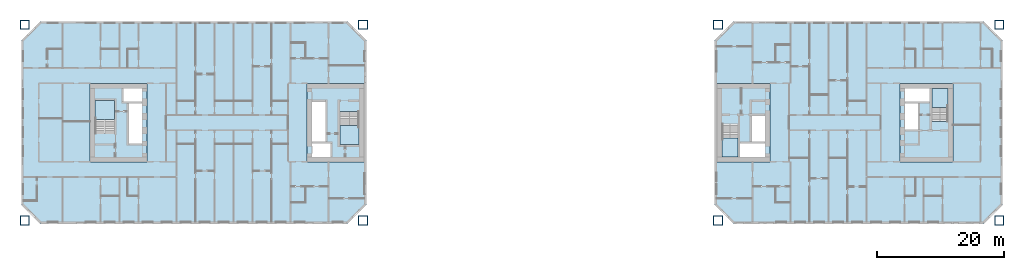
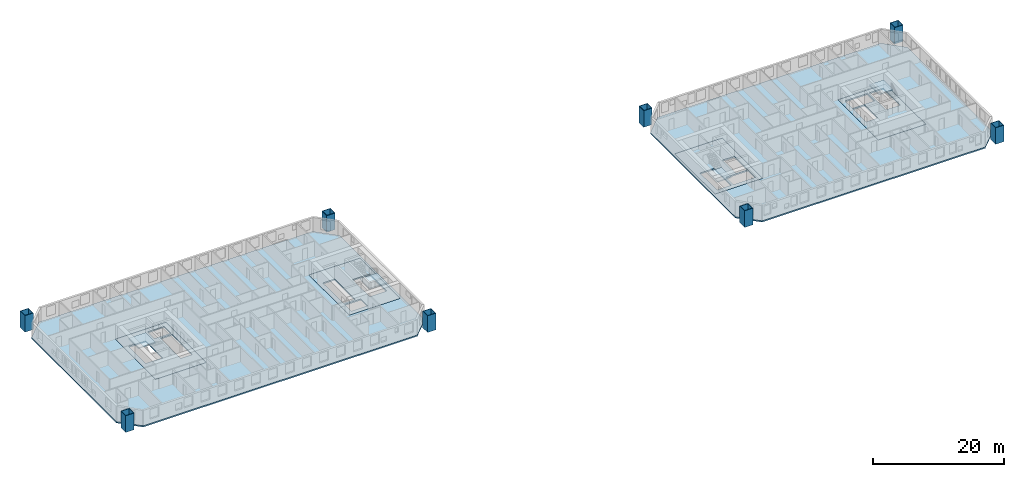
# One storey, part 1 of 17: 10 slabs, 8 columns, 4 elements without a shape of their own.
"""IFC4 building model written with IfcOpenShell, lengths in metres."""

import ifcopenshell
import ifcopenshell.guid

model = None  # the IFC model being written
_history = None  # IfcOwnerHistory: only IFC2X3 demands one
_inside = {}  # id of a spatial element -> (the spatial element, [elements in it])
_under = {}  # id of a project, library or spatial element -> (it, [spatial elements below it])
_declared = {}  # id of a project -> (the project, [libraries it declares])
_typed = {}  # id of a type object -> (the type object, [elements of that type])
_made_of = {}  # id of a material, layer set ... -> (it, [elements and type objects made of it])


def new_model(schema):
    """Start an empty IFC model of exactly this schema.

    Asked for "IFC4X3", IfcOpenShell would pick the latest addendum, in which some entities
    have other attributes; the version numbers below select the first issue.
    IFC2X3 requires an IfcOwnerHistory on every rooted entity: one is made here for all.
    """
    global model, _history
    if schema == "IFC4X3":
        model = ifcopenshell.file(schema_version=(4, 3, 0, 0))
    else:
        model = ifcopenshell.file(schema=schema)
    _inside.clear()
    _under.clear()
    _declared.clear()
    _typed.clear()
    _made_of.clear()
    _history = None
    if model.schema == "IFC2X3":
        org = make("IfcOrganization", Name="unknown")
        user = make(
            "IfcPersonAndOrganization",
            ThePerson=make("IfcPerson", FamilyName="unknown"),
            TheOrganization=org,
        )
        app = make(
            "IfcApplication",
            ApplicationDeveloper=org,
            Version="unknown",
            ApplicationFullName="unknown",
            ApplicationIdentifier="unknown",
        )
        _history = make(
            "IfcOwnerHistory",
            OwningUser=user,
            OwningApplication=app,
            ChangeAction="ADDED",
            CreationDate=0,
        )
    return model


def make(cls, **values):
    """One entity of the class cls with the attributes given. An attribute that is None is left unset."""
    return model.create_entity(
        cls, **{name: value for name, value in values.items() if value is not None}
    )


def rooted(cls, **values):
    """An entity with a GlobalId (a new one), such as an element, a storey or a relation."""
    return make(cls, GlobalId=ifcopenshell.guid.new(), OwnerHistory=_history, **values)


def si_unit(unit_type, name, prefix=None):
    """IfcSIUnit, for example si_unit("LENGTHUNIT", "METRE", prefix="MILLI")."""
    return make("IfcSIUnit", UnitType=unit_type, Prefix=prefix, Name=name)


def assignment(units):
    """IfcUnitAssignment: the units of a project."""
    return None if units is None else make("IfcUnitAssignment", Units=units)


def point(xyz):
    """IfcCartesianPoint."""
    return None if xyz is None else make("IfcCartesianPoint", Coordinates=xyz)


def direction(xyz):
    """IfcDirection."""
    return None if xyz is None else make("IfcDirection", DirectionRatios=xyz)


def frame(location, z_axis=None, x_axis=None):
    """IfcAxis2Placement3D, a coordinate frame: its origin and axes. An axis left out is left unset."""
    return make(
        "IfcAxis2Placement3D",
        Location=point(location),
        Axis=direction(z_axis),
        RefDirection=direction(x_axis),
    )


def frame_2d(location, x_axis=None):
    """IfcAxis2Placement2D, a coordinate frame in the plane: its origin and x axis."""
    return make(
        "IfcAxis2Placement2D", Location=point(location), RefDirection=direction(x_axis)
    )


def origin():
    """The frame at (0, 0, 0) with its axes left unset."""
    return frame((0.0, 0.0, 0.0))


def origin_2d():
    """The frame at (0, 0) in the plane with its x axis left unset."""
    return frame_2d((0.0, 0.0))


def place(relative_to, where):
    """IfcLocalPlacement: puts the frame where relative to a parent placement (None: the world)."""
    return make(
        "IfcLocalPlacement", PlacementRelTo=relative_to, RelativePlacement=where
    )


def context(
    kind, dimensions, precision=None, world=None, true_north=None, identifier=None
):
    """IfcGeometricRepresentationContext, for example the 3D "Model" context."""
    return make(
        "IfcGeometricRepresentationContext",
        ContextIdentifier=identifier,
        ContextType=kind,
        CoordinateSpaceDimension=dimensions,
        Precision=precision,
        WorldCoordinateSystem=world,
        TrueNorth=true_north,
    )


def subcontext(parent, identifier, kind, view, scale=None):
    """IfcGeometricRepresentationSubContext, for example "Body" below "Model"."""
    return make(
        "IfcGeometricRepresentationSubContext",
        ContextIdentifier=identifier,
        ContextType=kind,
        ParentContext=parent,
        TargetScale=scale,
        TargetView=view,
    )


def project(units=None, contexts=None):
    """IfcProject with its units and contexts."""
    return rooted(
        "IfcProject",
        Name="project",
        RepresentationContexts=contexts,
        UnitsInContext=assignment(units),
    )


def spatial(cls, under=None, at=None, **own):
    """A site, building, storey or space (cls), placed at a placement, below another one or the project."""
    s = rooted(cls, ObjectPlacement=at, **own)
    if under is not None:
        _under.setdefault(under.id(), (under, []))[1].append(s)
    return s


def polyline(points):
    """IfcPolyline through the points."""
    return make("IfcPolyline", Points=[point(p) for p in points])


def profile(cls, at=None, kind="AREA", **sizes):
    """A parametric profile (cls). Its sizes go by their IFC names, for example OverallWidth=200.0."""
    return make(cls, ProfileType=kind, Position=at, **sizes)


def hollow_rectangle(**sizes):
    """IfcRectangleHollowProfileDef."""
    return profile("IfcRectangleHollowProfileDef", **sizes)


def outline(outer, holes=None, kind="AREA"):
    """IfcArbitraryClosedProfileDef: a profile drawn as a closed curve; with holes, ...WithVoids."""
    if holes is None:
        return make("IfcArbitraryClosedProfileDef", ProfileType=kind, OuterCurve=outer)
    return make(
        "IfcArbitraryProfileDefWithVoids",
        ProfileType=kind,
        OuterCurve=outer,
        InnerCurves=holes,
    )


def extrude(swept, where, along, depth):
    """IfcExtrudedAreaSolid: the profile swept, set in the frame where, extruded along a direction by depth."""
    return make(
        "IfcExtrudedAreaSolid",
        SweptArea=swept,
        Position=where,
        ExtrudedDirection=direction(along),
        Depth=depth,
    )


def shape(context_of_items, identifier, shape_type, items):
    """IfcShapeRepresentation: the items that make up one representation, for example the "Body"."""
    return make(
        "IfcShapeRepresentation",
        ContextOfItems=context_of_items,
        RepresentationIdentifier=identifier,
        RepresentationType=shape_type,
        Items=items,
    )


def material(Name=None, Category=None):
    """IfcMaterial."""
    return make("IfcMaterial", Name=Name, Category=Category)


def layer(
    of_material, thickness, ventilated=None, Name=None, Category=None, Priority=None
):
    """IfcMaterialLayer: one layer of a wall or slab, of a material (None: an air gap)."""
    return make(
        "IfcMaterialLayer",
        Material=of_material,
        LayerThickness=thickness,
        IsVentilated=ventilated,
        Name=Name,
        Category=Category,
        Priority=Priority,
    )


def layer_set(layers, Name=None):
    """IfcMaterialLayerSet."""
    return make("IfcMaterialLayerSet", MaterialLayers=layers, LayerSetName=Name)


def material_profile(
    of_material, cross_section, Name=None, Category=None, Priority=None
):
    """IfcMaterialProfile: a cross section and its material."""
    return make(
        "IfcMaterialProfile",
        Name=Name,
        Material=of_material,
        Profile=cross_section,
        Priority=Priority,
        Category=Category,
    )


def profile_set(profiles, Name=None, composite=None):
    """IfcMaterialProfileSet."""
    return make(
        "IfcMaterialProfileSet",
        Name=Name,
        MaterialProfiles=profiles,
        CompositeProfile=composite,
    )


def made_of(thing, what):
    """Note that an element or type object is made of a material, layer set ...; save() writes the relation."""
    if what is not None:
        _made_of.setdefault(what.id(), (what, []))[1].append(thing)
    return thing


def type_object(cls, material=None, **own):
    """A type object (cls), such as IfcWallType, which elements share."""
    return made_of(rooted(cls, **own), material)


def element(
    cls,
    number,
    at=None,
    inside=None,
    cuts=None,
    type_object=None,
    material=None,
    context=None,
    identifier="Body",
    shape_type=None,
    held_by="IfcProductDefinitionShape",
    body=None,
    shapes=None,
    **own,
):
    """One element of the class cls, such as IfcWall. Its Tag is "e" and its number.

    at: its placement. inside: the storey or other place that contains it. cuts: it is an
    opening in that element (IfcRelVoidsElement). A single representation is given by context,
    identifier, shape_type and body (its items); several are given by shapes. held_by: the class
    of the entity that holds the representations. save() writes the other relations.
    """
    e = rooted(cls, Tag="e%d" % number, ObjectPlacement=at, **own)
    if body is not None:
        shapes = [shape(context, identifier, shape_type, body)]
    if shapes is not None:
        e.Representation = make(held_by, Representations=shapes)
    if inside is not None:
        _inside.setdefault(inside.id(), (inside, []))[1].append(e)
    if cuts is not None:
        rooted(
            "IfcRelVoidsElement", RelatingBuildingElement=cuts, RelatedOpeningElement=e
        )
    if type_object is not None:
        _typed.setdefault(type_object.id(), (type_object, []))[1].append(e)
    return made_of(e, material)


def aggregate(whole, parts):
    """IfcRelAggregates: a whole, such as a stair, and the parts it consists of."""
    return rooted("IfcRelAggregates", RelatingObject=whole, RelatedObjects=parts)


def save(model, path):
    """Write the relations noted so far, then the file.

    IfcRelAggregates (storeys below a building ...), IfcRelContainedInSpatialStructure (elements
    in a storey), IfcRelDefinesByType, IfcRelAssociatesMaterial and IfcRelDeclares: one each for
    every whole, place, type object, material and project.
    """
    for whole, parts in _under.values():
        aggregate(whole, parts)
    for where, things in _inside.values():
        rooted(
            "IfcRelContainedInSpatialStructure",
            RelatedElements=things,
            RelatingStructure=where,
        )
    for kind, things in _typed.values():
        rooted("IfcRelDefinesByType", RelatedObjects=things, RelatingType=kind)
    for what, things in _made_of.values():
        rooted("IfcRelAssociatesMaterial", RelatedObjects=things, RelatingMaterial=what)
    for by, libraries in _declared.values():
        rooted("IfcRelDeclares", RelatingContext=by, RelatedDefinitions=libraries)
    model.write(path)


model = new_model("IFC4")

# Units and contexts
model_context = context("Model", 3, precision=1e-05, world=origin(), true_north=direction((0.0, 1.0)))
body_context = subcontext(model_context, "Body", "Model", "MODEL_VIEW")
ifc_project = project(units=[si_unit("LENGTHUNIT", "METRE"), si_unit("AREAUNIT", "SQUARE_METRE"), si_unit("VOLUMEUNIT", "CUBIC_METRE"), si_unit("PLANEANGLEUNIT", "RADIAN"), si_unit("MASSUNIT", "GRAM", prefix="KILO")], contexts=[model_context])

# Site, building, storey
site_placement = place(None, origin())
site = spatial("IfcSite", under=ifc_project, at=site_placement, CompositionType="ELEMENT")
building_placement = place(site_placement, origin())
building = spatial("IfcBuilding", under=site, at=building_placement, Name="Tuart Gate Housing", CompositionType="ELEMENT")
storey_placement = place(building_placement, frame((0.0, 0.0, 47.39990234375)))
storey = spatial("IfcBuildingStorey", under=building, at=storey_placement, Name="L12", CompositionType="ELEMENT", Elevation=47.39990234375)

# Columns
ifc_material_1 = material(Name="Steel Grade 350", Category="steel")
ifc_material_profile = material_profile(ifc_material_1, hollow_rectangle(XDim=1.5, YDim=1.5, WallThickness=0.080078125, at=origin_2d()), Name="BOX 1500x1500x80")
ifc_profile_set = profile_set([ifc_material_profile], Name="Steel Grade 350")
column_type = type_object("IfcColumnType", Name="Mega column BOX 1500x1500x80", PredefinedType="COLUMN", material=ifc_profile_set)
for number, where, z_axis, x_axis, name in (
    (1, (22.050048828125, 54.550048828125, 0.0), (0.0, 0.0, 1.0), (1.0, 0.0, 0.0), "Mega column A south-west L12"),
    (2, (75.449951171875, 54.550048828125, 0.0), (0.0, 0.0, 1.0), (1.0, 0.0, 0.0), "Mega column A south-east L12"),
    (3, (75.449951171875, 85.449951171875, 0.0), (0.0, 0.0, 1.0), (1.0, 0.0, 0.0), "Mega column A north-east L12"),
    (4, (22.050048828125, 85.449951171875, 0.0), (0.0, 0.0, 1.0), (1.0, 0.0, 0.0), "Mega column A north-west L12"),
    (5, (131.550048828125, 54.550048828125, 0.0), (0.0, 0.0, 1.0), (1.0, 0.0, 0.0), "Mega column B south-west L12"),
    (6, (175.949951171875, 54.550048828125, 0.0), (0.0, 0.0, 1.0), (1.0, 0.0, 0.0), "Mega column B south-east L12"),
    (7, (175.949951171875, 85.449951171875, 0.0), (0.0, 0.0, 1.0), (1.0, 0.0, 0.0), "Mega column B north-east L12"),
    (8, (131.550048828125, 85.449951171875, 0.0), (0.0, 0.0, 1.0), (1.0, 0.0, 0.0), "Mega column B north-west L12"),
):
    element("IfcColumn", number, at=place(storey_placement, frame(where, z_axis=z_axis, x_axis=x_axis)), inside=storey, type_object=column_type, Name=name, PredefinedType="COLUMN", context=body_context, shape_type="SweptSolid", body=[
        extrude(hollow_rectangle(XDim=1.5, YDim=1.5, WallThickness=0.080078125, at=origin_2d()), origin(), (0.0, 0.0, 1.0), 3.10009765625),
    ])

# Slabs
ifc_material_2 = material(Name="Concrete C40", Category="concrete")
ifc_layer_1 = layer(ifc_material_2, 0.25)
ifc_layer_set_1 = layer_set([ifc_layer_1], Name="Core floor slab 250")
slab_type_1 = type_object("IfcSlabType", Name="Core floor slab 250", PredefinedType="FLOOR", material=ifc_layer_set_1)
slab_1_placement = place(storey_placement, frame((0.0, 0.0, -0.25)))
element("IfcSlab", 9, at=slab_1_placement, inside=storey, type_object=slab_type_1, Name="Core floor AG", PredefinedType="FLOOR", context=body_context, shape_type="SweptSolid", body=[
    extrude(outline(polyline([(66.639892578125, 63.800048828125), (75.639892578125, 63.800048828125), (75.639892578125, 76.199951171875), (66.639892578125, 76.199951171875), (66.639892578125, 63.800048828125)]), holes=[polyline([(67.43994140625, 64.60009765625), (70.3349609375, 64.60009765625), (70.3349609375, 66.675048828125), (67.43994140625, 66.675048828125), (67.43994140625, 64.60009765625)]), polyline([(67.43994140625, 67.02490234375), (69.514892578125, 67.02490234375), (69.514892578125, 73.27490234375), (67.43994140625, 73.27490234375), (67.43994140625, 67.02490234375)]), polyline([(71.81494140625, 66.52490234375), (74.840087890625, 66.52490234375), (74.840087890625, 71.7548828125), (71.81494140625, 71.7548828125), (71.81494140625, 66.52490234375)])]), origin(), (0.0, 0.0, 1.0), 0.25),
])
slab_2_placement = place(storey_placement, frame((0.0, 0.0, -0.25)))
element("IfcSlab", 10, at=slab_2_placement, inside=storey, type_object=slab_type_1, Name="Core floor AK", PredefinedType="FLOOR", context=body_context, shape_type="SweptSolid", body=[
    extrude(outline(polyline([(32.360107421875, 63.800048828125), (41.360107421875, 63.800048828125), (41.360107421875, 76.199951171875), (32.360107421875, 76.199951171875), (32.360107421875, 63.800048828125)]), holes=[polyline([(40.56005859375, 75.39990234375), (37.6650390625, 75.39990234375), (37.6650390625, 73.324951171875), (40.56005859375, 73.324951171875), (40.56005859375, 75.39990234375)]), polyline([(40.56005859375, 72.97509765625), (38.485107421875, 72.97509765625), (38.485107421875, 66.72509765625), (40.56005859375, 66.72509765625), (40.56005859375, 72.97509765625)]), polyline([(36.18505859375, 73.47509765625), (33.159912109375, 73.47509765625), (33.159912109375, 68.2451171875), (36.18505859375, 68.2451171875), (36.18505859375, 73.47509765625)])]), origin(), (0.0, 0.0, 1.0), 0.25),
])
slab_3_placement = place(storey_placement, frame((0.0, 0.0, -0.25)))
element("IfcSlab", 11, at=slab_3_placement, inside=storey, type_object=slab_type_1, Name="Core floor BG", PredefinedType="FLOOR", context=body_context, shape_type="SweptSolid", body=[
    extrude(outline(polyline([(131.360107421875, 63.800048828125), (139.760009765625, 63.800048828125), (139.760009765625, 76.199951171875), (131.360107421875, 76.199951171875), (131.360107421875, 63.800048828125)]), holes=[polyline([(138.9599609375, 66.85009765625), (135.034912109375, 66.85009765625), (135.034912109375, 64.60009765625), (138.9599609375, 64.60009765625), (138.9599609375, 66.85009765625)]), polyline([(138.9599609375, 71.074951171875), (136.885009765625, 71.074951171875), (136.885009765625, 67.02490234375), (138.9599609375, 67.02490234375), (138.9599609375, 71.074951171875)]), polyline([(134.68505859375, 69.804931640625), (132.159912109375, 69.804931640625), (132.159912109375, 64.60009765625), (134.68505859375, 64.60009765625), (134.68505859375, 69.804931640625)])]), origin(), (0.0, 0.0, 1.0), 0.25),
])
slab_4_placement = place(storey_placement, frame((0.0, 0.0, -0.25)))
element("IfcSlab", 12, at=slab_4_placement, inside=storey, type_object=slab_type_1, Name="Core floor BK", PredefinedType="FLOOR", context=body_context, shape_type="SweptSolid", body=[
    extrude(outline(polyline([(160.239990234375, 63.800048828125), (168.639892578125, 63.800048828125), (168.639892578125, 76.199951171875), (160.239990234375, 76.199951171875), (160.239990234375, 63.800048828125)]), holes=[polyline([(161.0400390625, 73.14990234375), (164.965087890625, 73.14990234375), (164.965087890625, 75.39990234375), (161.0400390625, 75.39990234375), (161.0400390625, 73.14990234375)]), polyline([(161.0400390625, 68.925048828125), (163.114990234375, 68.925048828125), (163.114990234375, 72.97509765625), (161.0400390625, 72.97509765625), (161.0400390625, 68.925048828125)]), polyline([(165.31494140625, 70.195068359375), (167.840087890625, 70.195068359375), (167.840087890625, 75.39990234375), (165.31494140625, 75.39990234375), (165.31494140625, 70.195068359375)])]), origin(), (0.0, 0.0, 1.0), 0.25),
])
ifc_material_3 = material(Name="Concrete C40", Category="concrete")
ifc_layer_2 = layer(ifc_material_3, 0.25)
ifc_layer_set_2 = layer_set([ifc_layer_2], Name="Flat plate 250")
slab_type_2 = type_object("IfcSlabType", Name="Flat plate 250", PredefinedType="FLOOR", material=ifc_layer_set_2)
slab_5_placement = place(storey_placement, frame((0.0, 0.0, -0.25)))
element("IfcSlab", 13, at=slab_5_placement, inside=storey, type_object=slab_type_2, Name="Floor slab A L12", PredefinedType="FLOOR", context=body_context, shape_type="SweptSolid", body=[
    extrude(outline(polyline([(24.5, 86.0), (21.5, 83.0), (21.5, 57.0), (24.5, 54.0), (73.0, 54.0), (76.0, 57.0), (76.0, 83.0), (73.0, 86.0), (24.5, 86.0)]), holes=[polyline([(66.639892578125, 76.199951171875), (75.639892578125, 76.199951171875), (75.639892578125, 63.800048828125), (66.639892578125, 63.800048828125), (66.639892578125, 76.199951171875)]), polyline([(41.360107421875, 76.199951171875), (41.360107421875, 63.800048828125), (32.360107421875, 63.800048828125), (32.360107421875, 76.199951171875), (41.360107421875, 76.199951171875)])]), origin(), (0.0, 0.0, 1.0), 0.25),
])
slab_6_placement = place(storey_placement, frame((0.0, 0.0, -0.25)))
element("IfcSlab", 14, at=slab_6_placement, inside=storey, type_object=slab_type_2, Name="Floor slab B L12", PredefinedType="FLOOR", context=body_context, shape_type="SweptSolid", body=[
    extrude(outline(polyline([(134.0, 86.0), (131.0, 83.0), (131.0, 57.0), (134.0, 54.0), (173.5, 54.0), (176.5, 57.0), (176.5, 83.0), (173.5, 86.0), (134.0, 86.0)]), holes=[polyline([(131.360107421875, 76.199951171875), (139.760009765625, 76.199951171875), (139.760009765625, 63.800048828125), (131.360107421875, 63.800048828125), (131.360107421875, 76.199951171875)]), polyline([(168.639892578125, 76.199951171875), (168.639892578125, 63.800048828125), (160.239990234375, 63.800048828125), (160.239990234375, 76.199951171875), (168.639892578125, 76.199951171875)])]), origin(), (0.0, 0.0, 1.0), 0.25),
])

# Stair, slab
ifc_material_4 = material(Name="Concrete C40", Category="concrete")
stair_type_1 = type_object("IfcStairType", Name="Core stair 1500", PredefinedType="HALF_TURN_STAIR", material=ifc_material_4)
stair_1_placement = place(storey_placement, origin())
stair_1 = element("IfcStair", 15, at=stair_1_placement, inside=storey, type_object=stair_type_1, Name="Stair SA1", PredefinedType="HALF_TURN_STAIR")
ifc_material_5 = material(Name="Concrete C40", Category="concrete")
ifc_layer_3 = layer(ifc_material_5, 0.199951171875)
ifc_layer_set_3 = layer_set([ifc_layer_3], Name="Stair landing 200")
slab_type_3 = type_object("IfcSlabType", Name="Stair landing 200", PredefinedType="LANDING", material=ifc_layer_set_3)
slab_7_placement = place(storey_placement, frame((0.0, 0.0, 1.35009765625)))
slab_7 = element("IfcSlab", 16, at=slab_7_placement, type_object=slab_type_3, Name="SA1 landing 1", PredefinedType="LANDING", context=body_context, shape_type="SweptSolid", body=[
    extrude(outline(polyline([(71.81494140625, 66.52490234375), (74.840087890625, 66.52490234375), (74.840087890625, 69.534912109375), (71.81494140625, 69.534912109375), (71.81494140625, 66.52490234375)])), origin(), (0.0, 0.0, 1.0), 0.199951171875),
])
aggregate(stair_1, [slab_7])

stair_2_placement = place(storey_placement, origin())
stair_2 = element("IfcStair", 17, at=stair_2_placement, inside=storey, type_object=stair_type_1, Name="Stair SA2", PredefinedType="HALF_TURN_STAIR")
slab_8_placement = place(storey_placement, frame((0.0, 0.0, 1.35009765625)))
slab_8 = element("IfcSlab", 18, at=slab_8_placement, type_object=slab_type_3, Name="SA2 landing 1", PredefinedType="LANDING", context=body_context, shape_type="SweptSolid", body=[
    extrude(outline(polyline([(36.18505859375, 73.47509765625), (33.159912109375, 73.47509765625), (33.159912109375, 70.465087890625), (36.18505859375, 70.465087890625), (36.18505859375, 73.47509765625)])), origin(), (0.0, 0.0, 1.0), 0.199951171875),
])
aggregate(stair_2, [slab_8])

ifc_material_6 = material(Name="Concrete C40", Category="concrete")
stair_type_2 = type_object("IfcStairType", Name="Core stair 1250", PredefinedType="HALF_TURN_STAIR", material=ifc_material_6)
stair_3_placement = place(storey_placement, origin())
stair_3 = element("IfcStair", 19, at=stair_3_placement, inside=storey, type_object=stair_type_2, Name="Stair SB1", PredefinedType="HALF_TURN_STAIR")
slab_9_placement = place(storey_placement, frame((0.0, 0.0, 1.35009765625)))
slab_9 = element("IfcSlab", 20, at=slab_9_placement, type_object=slab_type_3, Name="SB1 landing 1", PredefinedType="LANDING", context=body_context, shape_type="SweptSolid", body=[
    extrude(outline(polyline([(134.68505859375, 67.5849609375), (132.159912109375, 67.5849609375), (132.159912109375, 64.60009765625), (134.68505859375, 64.60009765625), (134.68505859375, 67.5849609375)])), origin(), (0.0, 0.0, 1.0), 0.199951171875),
])
aggregate(stair_3, [slab_9])

stair_4_placement = place(storey_placement, origin())
stair_4 = element("IfcStair", 21, at=stair_4_placement, inside=storey, type_object=stair_type_2, Name="Stair SB2", PredefinedType="HALF_TURN_STAIR")
slab_10_placement = place(storey_placement, frame((0.0, 0.0, 1.35009765625)))
slab_10 = element("IfcSlab", 22, at=slab_10_placement, type_object=slab_type_3, Name="SB2 landing 1", PredefinedType="LANDING", context=body_context, shape_type="SweptSolid", body=[
    extrude(outline(polyline([(165.31494140625, 72.4150390625), (167.840087890625, 72.4150390625), (167.840087890625, 75.39990234375), (165.31494140625, 75.39990234375), (165.31494140625, 72.4150390625)])), origin(), (0.0, 0.0, 1.0), 0.199951171875),
])
aggregate(stair_4, [slab_10])

save(model, "model.ifc")
